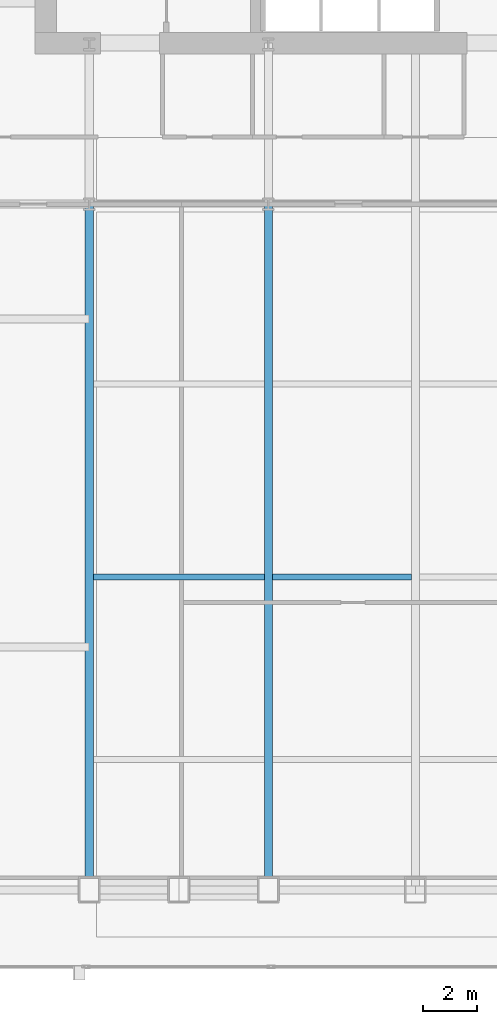
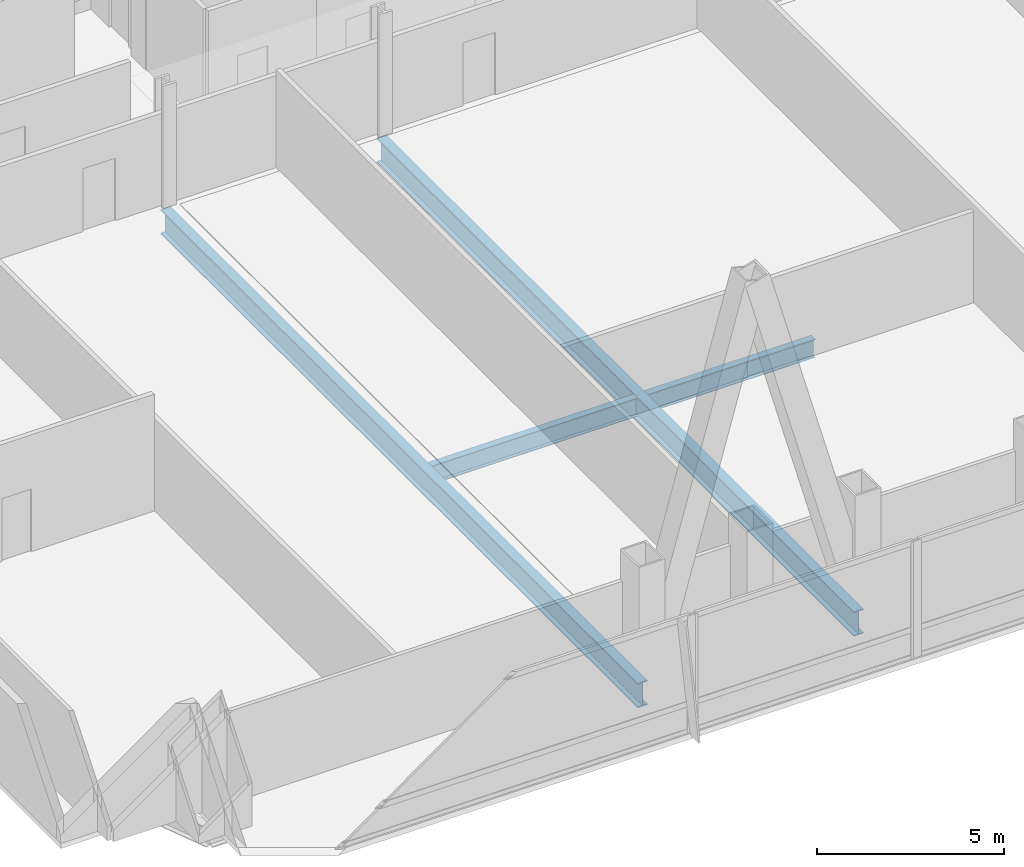
# One storey, part 9 of 37: 4 beams.
"""IFC4 building model written with IfcOpenShell, lengths in metres."""

from ifc_helpers import new_model, si_unit, direction, frame, origin, origin_2d, place, context, subcontext, project, spatial, i_section, extrude, material, material_profile, profile_set, type_object, element, save


model = new_model("IFC4")

# Units and contexts
model_context = context("Model", 3, precision=1e-05, world=origin(), true_north=direction((0.0, 1.0)))
body_context = subcontext(model_context, "Body", "Model", "MODEL_VIEW")
ifc_project = project(units=[si_unit("LENGTHUNIT", "METRE"), si_unit("AREAUNIT", "SQUARE_METRE"), si_unit("VOLUMEUNIT", "CUBIC_METRE"), si_unit("PLANEANGLEUNIT", "RADIAN"), si_unit("MASSUNIT", "GRAM", prefix="KILO")], contexts=[model_context])

# Site, building, storey
site_placement = place(None, origin())
site = spatial("IfcSite", under=ifc_project, at=site_placement, CompositionType="ELEMENT")
building_placement = place(site_placement, origin())
building = spatial("IfcBuilding", under=site, at=building_placement, Name="Khoronbel Lancet Exchange", CompositionType="ELEMENT")
storey_placement = place(building_placement, frame((0.0, 0.0, 61.800048828125)))
storey = spatial("IfcBuildingStorey", under=building, at=storey_placement, Name="L14", CompositionType="ELEMENT", Elevation=61.800048828125)

# Beams
ifc_material = material(Name="Steel S355", Category="steel")
ifc_material_profile_1 = material_profile(ifc_material, i_section(OverallWidth=0.300048828125, OverallDepth=0.800048828125, WebThickness=0.017578125, FlangeThickness=0.032958984375, at=origin_2d()), Name="HEB 800")
ifc_profile_set_1 = profile_set([ifc_material_profile_1], Name="Steel S355")
beam_type_1 = type_object("IfcBeamType", Name="BM-BG2", PredefinedType="BEAM", material=ifc_profile_set_1)
for number, where, z_axis, x_axis, name in (
    (1, (18.22509765625, 10.14990234375, -0.580078125), (0.0, 1.0, 0.0), (-1.0, 0.0, 0.0), "Level L14 south primary girder GS1"),
    (2, (24.89990234375, 10.14990234375, -0.580078125), (0.0, 1.0, 0.0), (-1.0, 0.0, 0.0), "Level L14 south primary girder GS2"),
):
    element("IfcBeam", number, at=place(storey_placement, frame(where, z_axis=z_axis, x_axis=x_axis)), inside=storey, type_object=beam_type_1, Name=name, PredefinedType="BEAM", context=body_context, shape_type="SweptSolid", body=[
        extrude(i_section(OverallWidth=0.300048828125, OverallDepth=0.800048828125, WebThickness=0.017578125, FlangeThickness=0.032958984375, at=origin_2d()), origin(), (0.0, 0.0, 1.0), 25.550048828125),
    ])
ifc_material_profile_2 = material_profile(ifc_material, i_section(OverallWidth=0.219970703125, OverallDepth=0.60009765625, WebThickness=0.011962890625, FlangeThickness=0.01904296875, at=origin_2d()), Name="IPE 600")
ifc_profile_set_2 = profile_set([ifc_material_profile_2], Name="Steel S355")
beam_type_2 = type_object("IfcBeamType", Name="BM-BJ1", PredefinedType="JOIST", material=ifc_profile_set_2)
beam_1_placement = place(storey_placement, frame((18.375, 21.800048828125, -0.47998046875), z_axis=(1.0, 0.0, 0.0), x_axis=(0.0, 1.0, 0.0)))
element("IfcBeam", 3, at=beam_1_placement, inside=storey, type_object=beam_type_2, Name="Level L14 secondary composite joist J06", PredefinedType="JOIST", context=body_context, shape_type="SweptSolid", body=[
    extrude(i_section(OverallWidth=0.219970703125, OverallDepth=0.60009765625, WebThickness=0.011962890625, FlangeThickness=0.01904296875, at=origin_2d()), origin(), (0.0, 0.0, 1.0), 6.375),
])
beam_2_placement = place(storey_placement, frame((25.050048828125, 21.800048828125, -0.47998046875), z_axis=(1.0, 0.0, 0.0), x_axis=(0.0, 1.0, 0.0)))
element("IfcBeam", 4, at=beam_2_placement, inside=storey, type_object=beam_type_2, Name="Level L14 secondary composite joist J07", PredefinedType="JOIST", context=body_context, shape_type="SweptSolid", body=[
    extrude(i_section(OverallWidth=0.219970703125, OverallDepth=0.60009765625, WebThickness=0.011962890625, FlangeThickness=0.01904296875, at=origin_2d()), origin(), (0.0, 0.0, 1.0), 5.175048828125),
])

save(model, "model.ifc")
